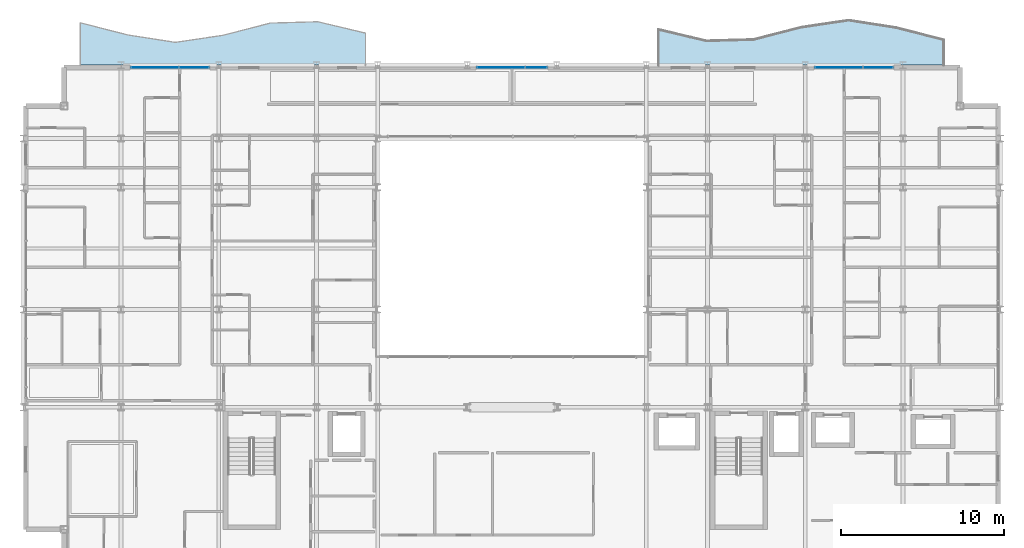
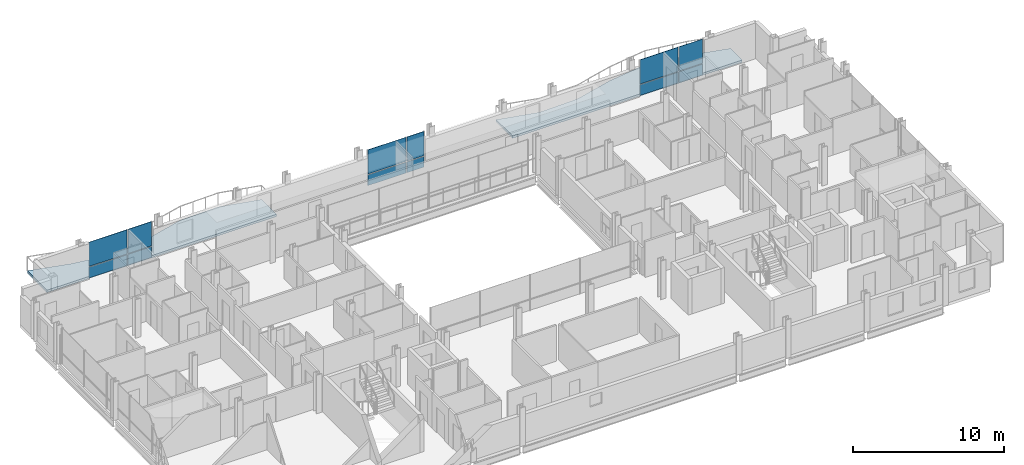
# One storey, part 29 of 41: 12 plates, 2 slabs, 3 elements without a shape of their own.
"""IFC4 building model written with IfcOpenShell, lengths in metres."""

from ifc_helpers import new_model, si_unit, direction, frame, origin, origin_2d, place, context, subcontext, project, spatial, polyline, rectangle, outline, extrude, material, layer, layer_set, type_object, element, aggregate, save


model = new_model("IFC4")

# Units and contexts
model_context = context("Model", 3, precision=1e-05, world=origin(), true_north=direction((0.0, 1.0)))
body_context = subcontext(model_context, "Body", "Model", "MODEL_VIEW")
ifc_project = project(units=[si_unit("LENGTHUNIT", "METRE"), si_unit("AREAUNIT", "SQUARE_METRE"), si_unit("VOLUMEUNIT", "CUBIC_METRE"), si_unit("PLANEANGLEUNIT", "RADIAN"), si_unit("MASSUNIT", "GRAM", prefix="KILO")], contexts=[model_context])

# Site, building, storey
site_placement = place(None, origin())
site = spatial("IfcSite", under=ifc_project, at=site_placement, CompositionType="ELEMENT")
building_placement = place(site_placement, origin())
building = spatial("IfcBuilding", under=site, at=building_placement, Name="Brevholm Reach", CompositionType="ELEMENT")
storey_placement = place(building_placement, frame((0.0, 0.0, 106.60009765625)))
storey = spatial("IfcBuildingStorey", under=building, at=storey_placement, Name="L31", CompositionType="ELEMENT", Elevation=106.60009765625)

# Curtain wall, plates
ifc_material_1 = material(Name="Dark Anodised Aluminium 6063-T6 and Solar-Control Glass", Category="aluminium")
ifc_layer_1 = layer(ifc_material_1, 0.14990234375)
ifc_layer_set_1 = layer_set([ifc_layer_1], Name="Dark Anodised Aluminium 6063-T6 and Solar-Control Glass")
curtain_wall_type = type_object("IfcCurtainWallType", Name="CW-01", PredefinedType="NOTDEFINED", material=ifc_layer_set_1)
curtain_wall_1_placement = place(storey_placement, origin())
curtain_wall_1 = element("IfcCurtainWall", 1, at=curtain_wall_1_placement, inside=storey, type_object=curtain_wall_type, Name="L31 Curtain Wall CW-01", PredefinedType="NOTDEFINED")
ifc_material_2 = material(Name="Dark Solar-Control Double-Glazed IGU Glass", Category="glass")
ifc_layer_2 = layer(ifc_material_2, 0.028076171875)
ifc_layer_set_2 = layer_set([ifc_layer_2], Name="Dark Solar-Control Double-Glazed IGU Glass")
plate_type = type_object("IfcPlateType", Name="CWP-GLZ-28", PredefinedType="CURTAIN_PANEL", material=ifc_layer_set_2)
plate_1_placement = place(storey_placement, frame((8.066162109375, 30.85009765625, 0.0), z_axis=(0.0, 0.0, 1.0), x_axis=(1.0, 0.0, 0.0)))
plate_1 = element("IfcPlate", 2, at=plate_1_placement, type_object=plate_type, Name="CP-01 Glazing Panel 1.1", PredefinedType="CURTAIN_PANEL", context=body_context, shape_type="SweptSolid", body=[
    extrude(rectangle(XDim=2.902587890625, YDim=0.028076171875, at=origin_2d()), origin(), (0.0, 0.0, 1.0), 0.867431640625),
])
plate_2_placement = place(storey_placement, frame((8.066162109375, 30.85009765625, 0.9326171875), z_axis=(0.0, 0.0, 1.0), x_axis=(1.0, 0.0, 0.0)))
plate_2 = element("IfcPlate", 3, at=plate_2_placement, type_object=plate_type, Name="CP-01 Glazing Panel 1.2", PredefinedType="CURTAIN_PANEL", context=body_context, shape_type="SweptSolid", body=[
    extrude(rectangle(XDim=2.902587890625, YDim=0.028076171875, at=origin_2d()), origin(), (0.0, 0.0, 1.0), 1.947509765625),
])
plate_3_placement = place(storey_placement, frame((10.483642578125, 30.85009765625, 0.0), z_axis=(0.0, 0.0, 1.0), x_axis=(1.0, 0.0, 0.0)))
plate_3 = element("IfcPlate", 4, at=plate_3_placement, type_object=plate_type, Name="CP-01 Glazing Panel 2.1", PredefinedType="CURTAIN_PANEL", context=body_context, shape_type="SweptSolid", body=[
    extrude(rectangle(XDim=1.802490234375, YDim=0.028076171875, at=origin_2d()), origin(), (0.0, 0.0, 1.0), 0.867431640625),
])
plate_4_placement = place(storey_placement, frame((10.483642578125, 30.85009765625, 0.9326171875), z_axis=(0.0, 0.0, 1.0), x_axis=(1.0, 0.0, 0.0)))
plate_4 = element("IfcPlate", 5, at=plate_4_placement, type_object=plate_type, Name="CP-01 Glazing Panel 2.2", PredefinedType="CURTAIN_PANEL", context=body_context, shape_type="SweptSolid", body=[
    extrude(rectangle(XDim=1.802490234375, YDim=0.028076171875, at=origin_2d()), origin(), (0.0, 0.0, 1.0), 1.947509765625),
])
aggregate(curtain_wall_1, [plate_1, plate_2, plate_3, plate_4])

curtain_wall_2_placement = place(storey_placement, origin())
curtain_wall_2 = element("IfcCurtainWall", 6, at=curtain_wall_2_placement, inside=storey, type_object=curtain_wall_type, Name="L31 Curtain Wall CW-01", PredefinedType="NOTDEFINED")
plate_5_placement = place(storey_placement, frame((29.316162109375, 30.85009765625, 0.0), z_axis=(0.0, 0.0, 1.0), x_axis=(1.0, 0.0, 0.0)))
plate_5 = element("IfcPlate", 7, at=plate_5_placement, type_object=plate_type, Name="CP-01 Glazing Panel 1.1", PredefinedType="CURTAIN_PANEL", context=body_context, shape_type="SweptSolid", body=[
    extrude(rectangle(XDim=2.902587890625, YDim=0.028076171875, at=origin_2d()), origin(), (0.0, 0.0, 1.0), 0.867431640625),
])
plate_6_placement = place(storey_placement, frame((29.316162109375, 30.85009765625, 0.9326171875), z_axis=(0.0, 0.0, 1.0), x_axis=(1.0, 0.0, 0.0)))
plate_6 = element("IfcPlate", 8, at=plate_6_placement, type_object=plate_type, Name="CP-01 Glazing Panel 1.2", PredefinedType="CURTAIN_PANEL", context=body_context, shape_type="SweptSolid", body=[
    extrude(rectangle(XDim=2.902587890625, YDim=0.028076171875, at=origin_2d()), origin(), (0.0, 0.0, 1.0), 1.947509765625),
])
plate_7_placement = place(storey_placement, frame((31.483642578125, 30.85009765625, 0.0), z_axis=(0.0, 0.0, 1.0), x_axis=(1.0, 0.0, 0.0)))
plate_7 = element("IfcPlate", 9, at=plate_7_placement, type_object=plate_type, Name="CP-01 Glazing Panel 2.1", PredefinedType="CURTAIN_PANEL", context=body_context, shape_type="SweptSolid", body=[
    extrude(rectangle(XDim=1.302490234375, YDim=0.028076171875, at=origin_2d()), origin(), (0.0, 0.0, 1.0), 0.867431640625),
])
plate_8_placement = place(storey_placement, frame((31.483642578125, 30.85009765625, 0.9326171875), z_axis=(0.0, 0.0, 1.0), x_axis=(1.0, 0.0, 0.0)))
plate_8 = element("IfcPlate", 10, at=plate_8_placement, type_object=plate_type, Name="CP-01 Glazing Panel 2.2", PredefinedType="CURTAIN_PANEL", context=body_context, shape_type="SweptSolid", body=[
    extrude(rectangle(XDim=1.302490234375, YDim=0.028076171875, at=origin_2d()), origin(), (0.0, 0.0, 1.0), 1.947509765625),
])
aggregate(curtain_wall_2, [plate_5, plate_6, plate_7, plate_8])

curtain_wall_3_placement = place(storey_placement, origin())
curtain_wall_3 = element("IfcCurtainWall", 11, at=curtain_wall_3_placement, inside=storey, type_object=curtain_wall_type, Name="L31 Curtain Wall CW-01", PredefinedType="NOTDEFINED")
plate_9_placement = place(storey_placement, frame((50.066162109375, 30.85009765625, 0.0), z_axis=(0.0, 0.0, 1.0), x_axis=(1.0, 0.0, 0.0)))
plate_9 = element("IfcPlate", 12, at=plate_9_placement, type_object=plate_type, Name="CP-01 Glazing Panel 1.1", PredefinedType="CURTAIN_PANEL", context=body_context, shape_type="SweptSolid", body=[
    extrude(rectangle(XDim=2.902587890625, YDim=0.028076171875, at=origin_2d()), origin(), (0.0, 0.0, 1.0), 0.867431640625),
])
plate_10_placement = place(storey_placement, frame((50.066162109375, 30.85009765625, 0.9326171875), z_axis=(0.0, 0.0, 1.0), x_axis=(1.0, 0.0, 0.0)))
plate_10 = element("IfcPlate", 13, at=plate_10_placement, type_object=plate_type, Name="CP-01 Glazing Panel 1.2", PredefinedType="CURTAIN_PANEL", context=body_context, shape_type="SweptSolid", body=[
    extrude(rectangle(XDim=2.902587890625, YDim=0.028076171875, at=origin_2d()), origin(), (0.0, 0.0, 1.0), 1.947509765625),
])
plate_11_placement = place(storey_placement, frame((52.483642578125, 30.85009765625, 0.0), z_axis=(0.0, 0.0, 1.0), x_axis=(1.0, 0.0, 0.0)))
plate_11 = element("IfcPlate", 14, at=plate_11_placement, type_object=plate_type, Name="CP-01 Glazing Panel 2.1", PredefinedType="CURTAIN_PANEL", context=body_context, shape_type="SweptSolid", body=[
    extrude(rectangle(XDim=1.802490234375, YDim=0.028076171875, at=origin_2d()), origin(), (0.0, 0.0, 1.0), 0.867431640625),
])
plate_12_placement = place(storey_placement, frame((52.483642578125, 30.85009765625, 0.9326171875), z_axis=(0.0, 0.0, 1.0), x_axis=(1.0, 0.0, 0.0)))
plate_12 = element("IfcPlate", 15, at=plate_12_placement, type_object=plate_type, Name="CP-01 Glazing Panel 2.2", PredefinedType="CURTAIN_PANEL", context=body_context, shape_type="SweptSolid", body=[
    extrude(rectangle(XDim=1.802490234375, YDim=0.028076171875, at=origin_2d()), origin(), (0.0, 0.0, 1.0), 1.947509765625),
])
aggregate(curtain_wall_3, [plate_9, plate_10, plate_11, plate_12])

# Slabs
ifc_material_3 = material(Name="Precast Concrete C40/50", Category="concrete")
ifc_layer_3 = layer(ifc_material_3, 0.179931640625)
ifc_layer_set_3 = layer_set([ifc_layer_3], Name="Precast Concrete C40/50")
slab_type = type_object("IfcSlabType", Name="SLB-BAL-180", PredefinedType="FLOOR", material=ifc_layer_set_3)
slab_1_placement = place(storey_placement, frame((0.0, 0.0, -0.18017578125)))
element("IfcSlab", 16, at=slab_1_placement, inside=storey, type_object=slab_type, Name="L31 Rippling External Balcony NE", PredefinedType="FLOOR", context=body_context, shape_type="SweptSolid", body=[
    extrude(outline(polyline([(39.0, 31.0), (56.5, 31.0), (56.5, 32.55029296875), (53.583251953125, 33.294921875), (50.666748046875, 33.75), (47.75, 33.31689453125), (44.833251953125, 32.565673828125), (41.916748046875, 32.484619140625), (39.0, 33.1806640625), (39.0, 31.0)])), origin(), (0.0, 0.0, 1.0), 0.18017578125),
])
slab_2_placement = place(storey_placement, frame((0.0, 0.0, -0.18017578125)))
element("IfcSlab", 17, at=slab_2_placement, inside=storey, type_object=slab_type, Name="L31 Rippling External Balcony NW", PredefinedType="FLOOR", context=body_context, shape_type="SweptSolid", body=[
    extrude(outline(polyline([(3.5, 31.0), (21.0, 31.0), (21.0, 32.969482421875), (18.083251953125, 33.665283203125), (15.166748046875, 33.58447265625), (12.25, 32.8330078125), (9.333251953125, 32.400146484375), (6.416748046875, 32.855224609375), (3.5, 33.599609375), (3.5, 31.0)])), origin(), (0.0, 0.0, 1.0), 0.18017578125),
])

save(model, "model.ifc")
